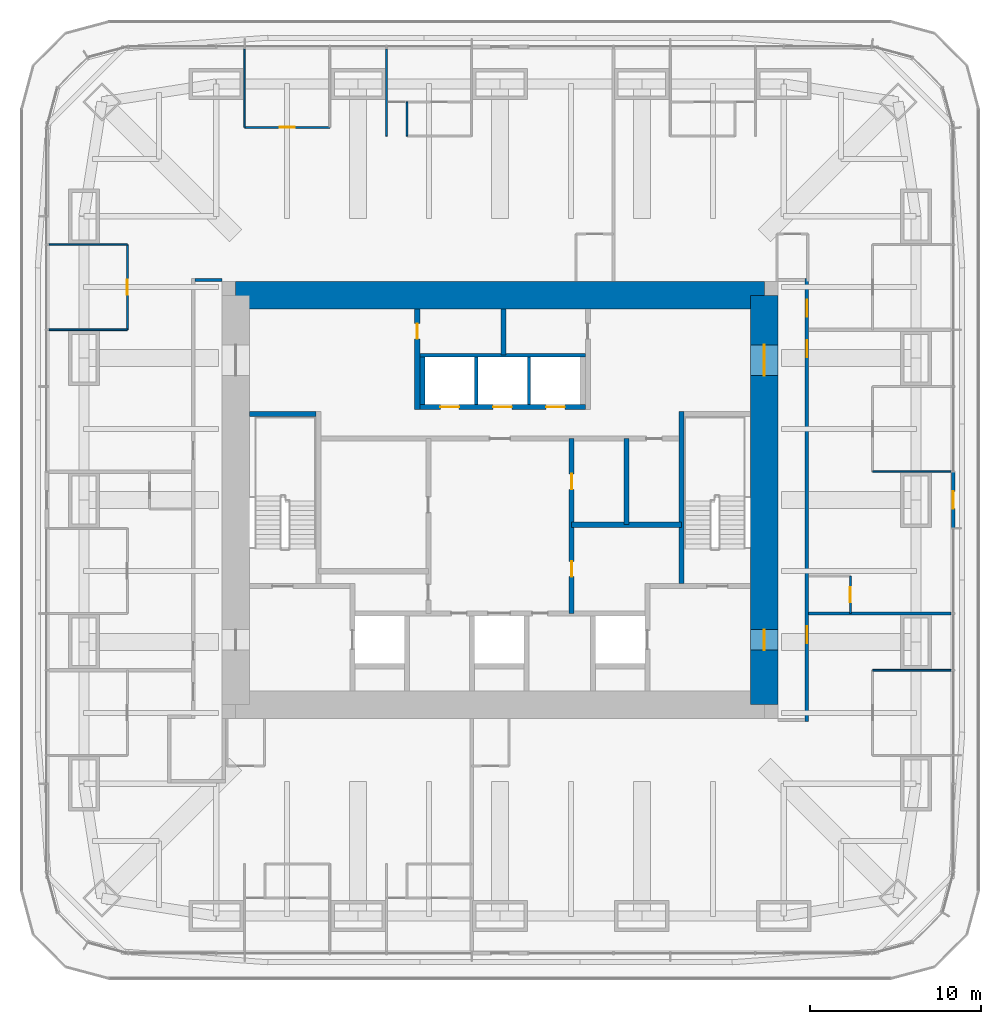
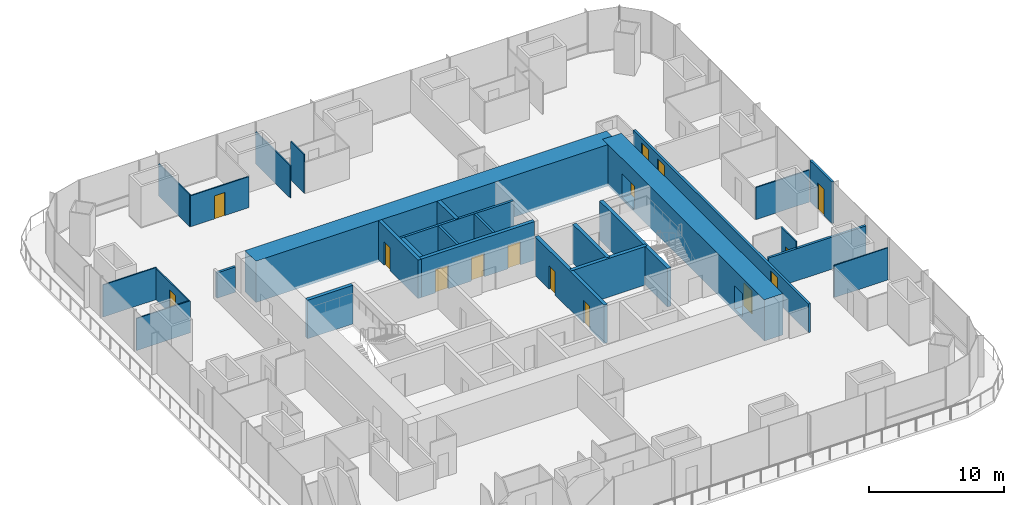
# One storey, part 10 of 15: 28 walls, 15 doors, 15 openings.
"""IFC4 building model written with IfcOpenShell, lengths in metres."""

import ifcopenshell
import ifcopenshell.guid

model = None  # the IFC model being written
_history = None  # IfcOwnerHistory: only IFC2X3 demands one
_inside = {}  # id of a spatial element -> (the spatial element, [elements in it])
_under = {}  # id of a project, library or spatial element -> (it, [spatial elements below it])
_declared = {}  # id of a project -> (the project, [libraries it declares])
_typed = {}  # id of a type object -> (the type object, [elements of that type])
_made_of = {}  # id of a material, layer set ... -> (it, [elements and type objects made of it])


def new_model(schema):
    """Start an empty IFC model of exactly this schema.

    Asked for "IFC4X3", IfcOpenShell would pick the latest addendum, in which some entities
    have other attributes; the version numbers below select the first issue.
    IFC2X3 requires an IfcOwnerHistory on every rooted entity: one is made here for all.
    """
    global model, _history
    if schema == "IFC4X3":
        model = ifcopenshell.file(schema_version=(4, 3, 0, 0))
    else:
        model = ifcopenshell.file(schema=schema)
    _inside.clear()
    _under.clear()
    _declared.clear()
    _typed.clear()
    _made_of.clear()
    _history = None
    if model.schema == "IFC2X3":
        org = make("IfcOrganization", Name="unknown")
        user = make(
            "IfcPersonAndOrganization",
            ThePerson=make("IfcPerson", FamilyName="unknown"),
            TheOrganization=org,
        )
        app = make(
            "IfcApplication",
            ApplicationDeveloper=org,
            Version="unknown",
            ApplicationFullName="unknown",
            ApplicationIdentifier="unknown",
        )
        _history = make(
            "IfcOwnerHistory",
            OwningUser=user,
            OwningApplication=app,
            ChangeAction="ADDED",
            CreationDate=0,
        )
    return model


def make(cls, **values):
    """One entity of the class cls with the attributes given. An attribute that is None is left unset."""
    return model.create_entity(
        cls, **{name: value for name, value in values.items() if value is not None}
    )


def rooted(cls, **values):
    """An entity with a GlobalId (a new one), such as an element, a storey or a relation."""
    return make(cls, GlobalId=ifcopenshell.guid.new(), OwnerHistory=_history, **values)


def si_unit(unit_type, name, prefix=None):
    """IfcSIUnit, for example si_unit("LENGTHUNIT", "METRE", prefix="MILLI")."""
    return make("IfcSIUnit", UnitType=unit_type, Prefix=prefix, Name=name)


def assignment(units):
    """IfcUnitAssignment: the units of a project."""
    return None if units is None else make("IfcUnitAssignment", Units=units)


def point(xyz):
    """IfcCartesianPoint."""
    return None if xyz is None else make("IfcCartesianPoint", Coordinates=xyz)


def direction(xyz):
    """IfcDirection."""
    return None if xyz is None else make("IfcDirection", DirectionRatios=xyz)


def frame(location, z_axis=None, x_axis=None):
    """IfcAxis2Placement3D, a coordinate frame: its origin and axes. An axis left out is left unset."""
    return make(
        "IfcAxis2Placement3D",
        Location=point(location),
        Axis=direction(z_axis),
        RefDirection=direction(x_axis),
    )


def frame_2d(location, x_axis=None):
    """IfcAxis2Placement2D, a coordinate frame in the plane: its origin and x axis."""
    return make(
        "IfcAxis2Placement2D", Location=point(location), RefDirection=direction(x_axis)
    )


def origin():
    """The frame at (0, 0, 0) with its axes left unset."""
    return frame((0.0, 0.0, 0.0))


def place(relative_to, where):
    """IfcLocalPlacement: puts the frame where relative to a parent placement (None: the world)."""
    return make(
        "IfcLocalPlacement", PlacementRelTo=relative_to, RelativePlacement=where
    )


def context(
    kind, dimensions, precision=None, world=None, true_north=None, identifier=None
):
    """IfcGeometricRepresentationContext, for example the 3D "Model" context."""
    return make(
        "IfcGeometricRepresentationContext",
        ContextIdentifier=identifier,
        ContextType=kind,
        CoordinateSpaceDimension=dimensions,
        Precision=precision,
        WorldCoordinateSystem=world,
        TrueNorth=true_north,
    )


def subcontext(parent, identifier, kind, view, scale=None):
    """IfcGeometricRepresentationSubContext, for example "Body" below "Model"."""
    return make(
        "IfcGeometricRepresentationSubContext",
        ContextIdentifier=identifier,
        ContextType=kind,
        ParentContext=parent,
        TargetScale=scale,
        TargetView=view,
    )


def project(units=None, contexts=None):
    """IfcProject with its units and contexts."""
    return rooted(
        "IfcProject",
        Name="project",
        RepresentationContexts=contexts,
        UnitsInContext=assignment(units),
    )


def spatial(cls, under=None, at=None, **own):
    """A site, building, storey or space (cls), placed at a placement, below another one or the project."""
    s = rooted(cls, ObjectPlacement=at, **own)
    if under is not None:
        _under.setdefault(under.id(), (under, []))[1].append(s)
    return s


def profile(cls, at=None, kind="AREA", **sizes):
    """A parametric profile (cls). Its sizes go by their IFC names, for example OverallWidth=200.0."""
    return make(cls, ProfileType=kind, Position=at, **sizes)


def rectangle(**sizes):
    """IfcRectangleProfileDef."""
    return profile("IfcRectangleProfileDef", **sizes)


def extrude(swept, where, along, depth):
    """IfcExtrudedAreaSolid: the profile swept, set in the frame where, extruded along a direction by depth."""
    return make(
        "IfcExtrudedAreaSolid",
        SweptArea=swept,
        Position=where,
        ExtrudedDirection=direction(along),
        Depth=depth,
    )


def shape(context_of_items, identifier, shape_type, items):
    """IfcShapeRepresentation: the items that make up one representation, for example the "Body"."""
    return make(
        "IfcShapeRepresentation",
        ContextOfItems=context_of_items,
        RepresentationIdentifier=identifier,
        RepresentationType=shape_type,
        Items=items,
    )


def material(Name=None, Category=None):
    """IfcMaterial."""
    return make("IfcMaterial", Name=Name, Category=Category)


def layer(
    of_material, thickness, ventilated=None, Name=None, Category=None, Priority=None
):
    """IfcMaterialLayer: one layer of a wall or slab, of a material (None: an air gap)."""
    return make(
        "IfcMaterialLayer",
        Material=of_material,
        LayerThickness=thickness,
        IsVentilated=ventilated,
        Name=Name,
        Category=Category,
        Priority=Priority,
    )


def layer_set(layers, Name=None):
    """IfcMaterialLayerSet."""
    return make("IfcMaterialLayerSet", MaterialLayers=layers, LayerSetName=Name)


def made_of(thing, what):
    """Note that an element or type object is made of a material, layer set ...; save() writes the relation."""
    if what is not None:
        _made_of.setdefault(what.id(), (what, []))[1].append(thing)
    return thing


def type_object(cls, material=None, **own):
    """A type object (cls), such as IfcWallType, which elements share."""
    return made_of(rooted(cls, **own), material)


def element(
    cls,
    number,
    at=None,
    inside=None,
    cuts=None,
    type_object=None,
    material=None,
    context=None,
    identifier="Body",
    shape_type=None,
    held_by="IfcProductDefinitionShape",
    body=None,
    shapes=None,
    **own,
):
    """One element of the class cls, such as IfcWall. Its Tag is "e" and its number.

    at: its placement. inside: the storey or other place that contains it. cuts: it is an
    opening in that element (IfcRelVoidsElement). A single representation is given by context,
    identifier, shape_type and body (its items); several are given by shapes. held_by: the class
    of the entity that holds the representations. save() writes the other relations.
    """
    e = rooted(cls, Tag="e%d" % number, ObjectPlacement=at, **own)
    if body is not None:
        shapes = [shape(context, identifier, shape_type, body)]
    if shapes is not None:
        e.Representation = make(held_by, Representations=shapes)
    if inside is not None:
        _inside.setdefault(inside.id(), (inside, []))[1].append(e)
    if cuts is not None:
        rooted(
            "IfcRelVoidsElement", RelatingBuildingElement=cuts, RelatedOpeningElement=e
        )
    if type_object is not None:
        _typed.setdefault(type_object.id(), (type_object, []))[1].append(e)
    return made_of(e, material)


def fill(opening, filler):
    """IfcRelFillsElement: the door or window that sits in an opening."""
    return rooted(
        "IfcRelFillsElement",
        RelatingOpeningElement=opening,
        RelatedBuildingElement=filler,
    )


def aggregate(whole, parts):
    """IfcRelAggregates: a whole, such as a stair, and the parts it consists of."""
    return rooted("IfcRelAggregates", RelatingObject=whole, RelatedObjects=parts)


def save(model, path):
    """Write the relations noted so far, then the file.

    IfcRelAggregates (storeys below a building ...), IfcRelContainedInSpatialStructure (elements
    in a storey), IfcRelDefinesByType, IfcRelAssociatesMaterial and IfcRelDeclares: one each for
    every whole, place, type object, material and project.
    """
    for whole, parts in _under.values():
        aggregate(whole, parts)
    for where, things in _inside.values():
        rooted(
            "IfcRelContainedInSpatialStructure",
            RelatedElements=things,
            RelatingStructure=where,
        )
    for kind, things in _typed.values():
        rooted("IfcRelDefinesByType", RelatedObjects=things, RelatingType=kind)
    for what, things in _made_of.values():
        rooted("IfcRelAssociatesMaterial", RelatedObjects=things, RelatingMaterial=what)
    for by, libraries in _declared.values():
        rooted("IfcRelDeclares", RelatingContext=by, RelatedDefinitions=libraries)
    model.write(path)


model = new_model("IFC4")

# Units and contexts
model_context = context("Model", 3, precision=1e-05, world=origin(), true_north=direction((0.0, 1.0)))
body_context = subcontext(model_context, "Body", "Model", "MODEL_VIEW")
ifc_project = project(units=[si_unit("LENGTHUNIT", "METRE"), si_unit("AREAUNIT", "SQUARE_METRE"), si_unit("VOLUMEUNIT", "CUBIC_METRE"), si_unit("PLANEANGLEUNIT", "RADIAN"), si_unit("MASSUNIT", "GRAM", prefix="KILO")], contexts=[model_context])

# Site, building, storey
site_placement = place(None, origin())
site = spatial("IfcSite", under=ifc_project, at=site_placement, CompositionType="ELEMENT")
building_placement = place(site_placement, origin())
building = spatial("IfcBuilding", under=site, at=building_placement, Name="Khuree Lantern Residences", CompositionType="ELEMENT")
storey_placement = place(building_placement, frame((0.0, 0.0, 199.5)))
storey = spatial("IfcBuildingStorey", under=building, at=storey_placement, Name="L49", CompositionType="ELEMENT", Elevation=199.5)

# Wall, opening, door
ifc_material_1 = material(Name="Moisture-resistant gypsum board on steel studs", Category="steel")
ifc_layer_1 = layer(ifc_material_1, 0.125)
ifc_layer_set_1 = layer_set([ifc_layer_1], Name="BATHROOM WALL BTW125")
wall_type_1 = type_object("IfcWallType", Name="BATHROOM WALL BTW125", PredefinedType="PARTITIONING", material=ifc_layer_set_1)
wall_1_placement = place(storey_placement, frame((20.550048828125, -6.656005859375, 0.0), z_axis=(0.0, 0.0, 1.0), x_axis=(0.0, 1.0, 0.0)))
wall_1 = element("IfcWall", 1, at=wall_1_placement, inside=storey, type_object=wall_type_1, Name="L49 BATHROOM WALL 01", PredefinedType="PARTITIONING", context=body_context, shape_type="SweptSolid", body=[
    extrude(rectangle(XDim=2.199951171875, YDim=0.125, at=frame_2d((1.10009765625, 0.0))), origin(), (0.0, 0.0, 1.0), 3.5),
])
opening_1_placement = place(wall_1_placement, frame((0.64990234375, 0.0, 0.0)))
opening_1 = element("IfcOpeningElement", 2, at=opening_1_placement, cuts=wall_1, Name="Opening 49-024", PredefinedType="OPENING", context=body_context, shape_type="SweptSolid", body=[
    extrude(rectangle(XDim=0.89990234375, YDim=2.10009765625, at=frame_2d((0.449951171875, 1.050048828125))), frame((0.0, 0.072509765625, 0.0), z_axis=(0.0, -1.0, 0.0), x_axis=(1.0, 0.0, 0.0)), (0.0, 0.0, 1.0), 0.14501953125),
])
ifc_material_2 = material(Name="Timber door leaf in hardwood frame", Category="wood")
door_type_1 = type_object("IfcDoorType", Name="BATHROOM DOOR 900X2100", OperationType="SINGLE_SWING_LEFT", PredefinedType="DOOR", material=ifc_material_2)
door_1_placement = place(opening_1_placement, origin())
door_1 = element("IfcDoor", 3, at=door_1_placement, inside=storey, type_object=door_type_1, Name="Bathroom door 49-024", OperationType="SINGLE_SWING_LEFT", OverallHeight=2.10009765625, OverallWidth=0.89990234375, PredefinedType="DOOR", context=body_context, shape_type="SweptSolid", body=[
    extrude(rectangle(XDim=0.89990234375, YDim=2.10009765625, at=frame_2d((0.449951171875, 1.050048828125))), frame((0.0, 0.02490234375, 0.0), z_axis=(0.0, -1.0, 0.0), x_axis=(1.0, 0.0, 0.0)), (0.0, 0.0, 1.0), 0.050048828125),
])
fill(opening_1, door_1)

# Wall, openings, doors
ifc_material_3 = material(Name="Dense concrete blockwork", Category="masonry")
ifc_layer_2 = layer(ifc_material_3, 0.300048828125)
ifc_layer_set_2 = layer_set([ifc_layer_2], Name="CORE PARTITION WALL CPW300 EI 120")
wall_type_2 = type_object("IfcWallType", Name="CORE PARTITION WALL CPW300 EI 120", PredefinedType="PARTITIONING", material=ifc_layer_set_2)
wall_2_placement = place(storey_placement, frame((-4.699951171875, 5.449951171875, 0.0), z_axis=(0.0, 0.0, 1.0), x_axis=(1.0, 0.0, 0.0)))
wall_2 = element("IfcWall", 4, at=wall_2_placement, inside=storey, type_object=wall_type_2, Name="L49 CORE WALL PHS", PredefinedType="PARTITIONING", context=body_context, shape_type="SweptSolid", body=[
    extrude(rectangle(XDim=9.699951171875, YDim=0.300048828125, at=frame_2d((4.85009765625, 0.0))), origin(), (0.0, 0.0, 1.0), 3.5),
])
opening_2_placement = place(wall_2_placement, frame((1.199951171875, 0.0, 0.0)))
opening_2 = element("IfcOpeningElement", 5, at=opening_2_placement, cuts=wall_2, Name="Opening 49-009", PredefinedType="OPENING", context=body_context, shape_type="SweptSolid", body=[
    extrude(rectangle(XDim=1.10009765625, YDim=2.10009765625, at=frame_2d((0.550048828125, 1.050048828125))), frame((0.0, 0.16015625, 0.0), z_axis=(0.0, -1.0, 0.0), x_axis=(1.0, 0.0, 0.0)), (0.0, 0.0, 1.0), 0.320068359375),
])
opening_3_placement = place(wall_2_placement, frame((4.300048828125, 0.0, 0.0)))
opening_3 = element("IfcOpeningElement", 6, at=opening_3_placement, cuts=wall_2, Name="Opening 49-010", PredefinedType="OPENING", context=body_context, shape_type="SweptSolid", body=[
    extrude(rectangle(XDim=1.10009765625, YDim=2.10009765625, at=frame_2d((0.550048828125, 1.050048828125))), frame((0.0, 0.16015625, 0.0), z_axis=(0.0, -1.0, 0.0), x_axis=(1.0, 0.0, 0.0)), (0.0, 0.0, 1.0), 0.320068359375),
])
opening_4_placement = place(wall_2_placement, frame((7.39990234375, 0.0, 0.0)))
opening_4 = element("IfcOpeningElement", 7, at=opening_4_placement, cuts=wall_2, Name="Opening 49-011", PredefinedType="OPENING", context=body_context, shape_type="SweptSolid", body=[
    extrude(rectangle(XDim=1.10009765625, YDim=2.10009765625, at=frame_2d((0.550048828125, 1.050048828125))), frame((0.0, 0.16015625, 0.0), z_axis=(0.0, -1.0, 0.0), x_axis=(1.0, 0.0, 0.0)), (0.0, 0.0, 1.0), 0.320068359375),
])
ifc_material_4 = material(Name="Stainless steel lift landing door", Category="steel")
door_type_2 = type_object("IfcDoorType", Name="LIFT LANDING DOOR 1100X2100 E 60", OperationType="DOUBLE_DOOR_SLIDING", PredefinedType="DOOR", material=ifc_material_4)
door_2_placement = place(opening_2_placement, origin())
door_2 = element("IfcDoor", 8, at=door_2_placement, inside=storey, type_object=door_type_2, Name="Landing door PH1 49-009", OperationType="DOUBLE_DOOR_SLIDING", OverallHeight=2.10009765625, OverallWidth=1.10009765625, PredefinedType="DOOR", context=body_context, shape_type="SweptSolid", body=[
    extrude(rectangle(XDim=1.10009765625, YDim=2.10009765625, at=frame_2d((0.550048828125, 1.050048828125))), frame((0.0, 0.02490234375, 0.0), z_axis=(0.0, -1.0, 0.0), x_axis=(1.0, 0.0, 0.0)), (0.0, 0.0, 1.0), 0.050048828125),
])
fill(opening_2, door_2)
door_3_placement = place(opening_3_placement, origin())
door_3 = element("IfcDoor", 9, at=door_3_placement, inside=storey, type_object=door_type_2, Name="Landing door PH2 49-010", OperationType="DOUBLE_DOOR_SLIDING", OverallHeight=2.10009765625, OverallWidth=1.10009765625, PredefinedType="DOOR", context=body_context, shape_type="SweptSolid", body=[
    extrude(rectangle(XDim=1.10009765625, YDim=2.10009765625, at=frame_2d((0.550048828125, 1.050048828125))), frame((0.0, 0.02490234375, 0.0), z_axis=(0.0, -1.0, 0.0), x_axis=(1.0, 0.0, 0.0)), (0.0, 0.0, 1.0), 0.050048828125),
])
fill(opening_3, door_3)
door_4_placement = place(opening_4_placement, origin())
door_4 = element("IfcDoor", 10, at=door_4_placement, inside=storey, type_object=door_type_2, Name="Landing door PH3 49-011", OperationType="DOUBLE_DOOR_SLIDING", OverallHeight=2.10009765625, OverallWidth=1.10009765625, PredefinedType="DOOR", context=body_context, shape_type="SweptSolid", body=[
    extrude(rectangle(XDim=1.10009765625, YDim=2.10009765625, at=frame_2d((0.550048828125, 1.050048828125))), frame((0.0, 0.02490234375, 0.0), z_axis=(0.0, -1.0, 0.0), x_axis=(1.0, 0.0, 0.0)), (0.0, 0.0, 1.0), 0.050048828125),
])
fill(opening_4, door_4)

# Wall
wall_3_placement = place(storey_placement, frame((-4.550048828125, 5.60009765625, 0.0), z_axis=(0.0, 0.0, 1.0), x_axis=(0.0, 1.0, 0.0)))
element("IfcWall", 11, at=wall_3_placement, inside=storey, type_object=wall_type_2, Name="L49 CORE WALL PHW", PredefinedType="PARTITIONING", context=body_context, shape_type="SweptSolid", body=[
    extrude(rectangle(XDim=2.7998046875, YDim=0.300048828125, at=frame_2d((1.39990234375, 0.0))), origin(), (0.0, 0.0, 1.0), 3.5),
])

# Wall, openings, doors
wall_4_placement = place(storey_placement, frame((4.199951171875, -6.64990234375, 0.0), z_axis=(0.0, 0.0, 1.0), x_axis=(0.0, 1.0, 0.0)))
wall_4 = element("IfcWall", 12, at=wall_4_placement, inside=storey, type_object=wall_type_2, Name="L49 CORE WALL SVE", PredefinedType="PARTITIONING", context=body_context, shape_type="SweptSolid", body=[
    extrude(rectangle(XDim=10.25, YDim=0.300048828125, at=frame_2d((5.125, 0.0))), origin(), (0.0, 0.0, 1.0), 3.5),
])
opening_5_placement = place(wall_4_placement, frame((2.14990234375, 0.0, 0.0)))
opening_5 = element("IfcOpeningElement", 13, at=opening_5_placement, cuts=wall_4, Name="Opening 49-018", PredefinedType="OPENING", context=body_context, shape_type="SweptSolid", body=[
    extrude(rectangle(XDim=0.89990234375, YDim=2.10009765625, at=frame_2d((0.449951171875, 1.050048828125))), frame((0.0, 0.16015625, 0.0), z_axis=(0.0, -1.0, 0.0), x_axis=(1.0, 0.0, 0.0)), (0.0, 0.0, 1.0), 0.320068359375),
])
opening_6_placement = place(wall_4_placement, frame((7.27490234375, 0.0, 0.0)))
opening_6 = element("IfcOpeningElement", 14, at=opening_6_placement, cuts=wall_4, Name="Opening 49-019", PredefinedType="OPENING", context=body_context, shape_type="SweptSolid", body=[
    extrude(rectangle(XDim=0.89990234375, YDim=2.10009765625, at=frame_2d((0.449951171875, 1.050048828125))), frame((0.0, 0.16015625, 0.0), z_axis=(0.0, -1.0, 0.0), x_axis=(1.0, 0.0, 0.0)), (0.0, 0.0, 1.0), 0.320068359375),
])
door_type_3 = type_object("IfcDoorType", Name="DOOR 900X2100", OperationType="SINGLE_SWING_LEFT", PredefinedType="DOOR", material=ifc_material_2)
door_5_placement = place(opening_5_placement, origin())
door_5 = element("IfcDoor", 15, at=door_5_placement, inside=storey, type_object=door_type_3, Name="Residents' store door 49-018", OperationType="SINGLE_SWING_LEFT", OverallHeight=2.10009765625, OverallWidth=0.89990234375, PredefinedType="DOOR", context=body_context, shape_type="SweptSolid", body=[
    extrude(rectangle(XDim=0.89990234375, YDim=2.10009765625, at=frame_2d((0.449951171875, 1.050048828125))), frame((0.0, 0.02490234375, 0.0), z_axis=(0.0, -1.0, 0.0), x_axis=(1.0, 0.0, 0.0)), (0.0, 0.0, 1.0), 0.050048828125),
])
fill(opening_5, door_5)
door_type_4 = type_object("IfcDoorType", Name="DOOR 900X2100 RIGHT HAND", OperationType="SINGLE_SWING_RIGHT", PredefinedType="DOOR", material=ifc_material_2)
door_6_placement = place(opening_6_placement, origin())
door_6 = element("IfcDoor", 16, at=door_6_placement, inside=storey, type_object=door_type_4, Name="Building management room door 49-019", OperationType="SINGLE_SWING_RIGHT", OverallHeight=2.10009765625, OverallWidth=0.89990234375, PredefinedType="DOOR", context=body_context, shape_type="SweptSolid", body=[
    extrude(rectangle(XDim=0.89990234375, YDim=2.10009765625, at=frame_2d((0.449951171875, 1.050048828125))), frame((0.0, 0.02490234375, 0.0), z_axis=(0.0, -1.0, 0.0), x_axis=(1.0, 0.0, 0.0)), (0.0, 0.0, 1.0), 0.050048828125),
])
fill(opening_6, door_6)

# Walls
wall_5_placement = place(storey_placement, frame((10.64990234375, -1.449951171875, 0.0), z_axis=(0.0, 0.0, 1.0), x_axis=(-1.0, 0.0, 0.0)))
element("IfcWall", 17, at=wall_5_placement, inside=storey, type_object=wall_type_2, Name="L49 CORE WALL EX", PredefinedType="PARTITIONING", context=body_context, shape_type="SweptSolid", body=[
    extrude(rectangle(XDim=6.449951171875, YDim=0.300048828125, at=frame_2d((3.22509765625, 0.0))), origin(), (0.0, 0.0, 1.0), 3.5),
])
wall_6_placement = place(storey_placement, frame((7.425048828125, -1.449951171875, 0.0), z_axis=(0.0, 0.0, 1.0), x_axis=(0.0, 1.0, 0.0)))
element("IfcWall", 18, at=wall_6_placement, inside=storey, type_object=wall_type_2, Name="L49 CORE WALL EV", PredefinedType="PARTITIONING", context=body_context, shape_type="SweptSolid", body=[
    extrude(rectangle(XDim=5.050048828125, YDim=0.300048828125, at=frame_2d((2.52490234375, 0.0))), origin(), (0.0, 0.0, 1.0), 3.5),
])

# Wall, opening, door
wall_7_placement = place(storey_placement, frame((-4.85009765625, 5.300048828125, 0.0), z_axis=(0.0, 0.0, 1.0), x_axis=(0.0, 1.0, 0.0)))
wall_7 = element("IfcWall", 19, at=wall_7_placement, inside=storey, type_object=wall_type_2, Name="L49 CORE WALL NW", PredefinedType="PARTITIONING", context=body_context, shape_type="SweptSolid", body=[
    extrude(rectangle(XDim=5.89990234375, YDim=0.300048828125, at=frame_2d((2.949951171875, 0.0))), origin(), (0.0, 0.0, 1.0), 3.5),
])
opening_7_placement = place(wall_7_placement, frame((4.14990234375, 0.0, 0.0)))
opening_7 = element("IfcOpeningElement", 20, at=opening_7_placement, cuts=wall_7, Name="Opening 49-021", PredefinedType="OPENING", context=body_context, shape_type="SweptSolid", body=[
    extrude(rectangle(XDim=0.89990234375, YDim=2.10009765625, at=frame_2d((0.449951171875, 1.050048828125))), frame((0.0, 0.16015625, 0.0), z_axis=(0.0, -1.0, 0.0), x_axis=(1.0, 0.0, 0.0)), (0.0, 0.0, 1.0), 0.320068359375),
])
door_7_placement = place(opening_7_placement, origin())
door_7 = element("IfcDoor", 21, at=door_7_placement, inside=storey, type_object=door_type_4, Name="Housekeeping store door 49-021", OperationType="SINGLE_SWING_RIGHT", OverallHeight=2.10009765625, OverallWidth=0.89990234375, PredefinedType="DOOR", context=body_context, shape_type="SweptSolid", body=[
    extrude(rectangle(XDim=0.89990234375, YDim=2.10009765625, at=frame_2d((0.449951171875, 1.050048828125))), frame((0.0, 0.02490234375, 0.0), z_axis=(0.0, -1.0, 0.0), x_axis=(1.0, 0.0, 0.0)), (0.0, 0.0, 1.0), 0.050048828125),
])
fill(opening_7, door_7)

# Walls
wall_8_placement = place(storey_placement, frame((0.199951171875, 8.5, 0.0), z_axis=(0.0, 0.0, 1.0), x_axis=(0.0, 1.0, 0.0)))
element("IfcWall", 22, at=wall_8_placement, inside=storey, type_object=wall_type_2, Name="L49 CORE WALL NX", PredefinedType="PARTITIONING", context=body_context, shape_type="SweptSolid", body=[
    extrude(rectangle(XDim=2.699951171875, YDim=0.300048828125, at=frame_2d((1.35009765625, 0.0))), origin(), (0.0, 0.0, 1.0), 3.5),
])
ifc_material_5 = material(Name="Gypsum board on steel studs", Category="steel")
ifc_layer_3 = layer(ifc_material_5, 0.199951171875)
ifc_layer_set_3 = layer_set([ifc_layer_3], Name="CORRIDOR WALL CRW200 EI 60")
wall_type_3 = type_object("IfcWallType", Name="CORRIDOR WALL CRW200 EI 60", PredefinedType="PARTITIONING", material=ifc_layer_set_3)
wall_9_placement = place(storey_placement, frame((-16.300048828125, 12.89990234375, 0.0), z_axis=(0.0, 0.0, 1.0), x_axis=(-1.0, 0.0, 0.0)))
element("IfcWall", 23, at=wall_9_placement, inside=storey, type_object=wall_type_3, Name="L49 WEST CORRIDOR NORTH END WALL", PredefinedType="PARTITIONING", context=body_context, shape_type="SweptSolid", body=[
    extrude(rectangle(XDim=1.599853515625, YDim=0.199951171875, at=frame_2d((0.7998046875, 0.0))), origin(), (0.0, 0.0, 1.0), 2.300048828125),
])

# Wall, openings, doors
wall_10_placement = place(storey_placement, frame((18.0, -13.0, 0.0), z_axis=(0.0, 0.0, 1.0), x_axis=(0.0, 1.0, 0.0)))
wall_10 = element("IfcWall", 24, at=wall_10_placement, inside=storey, type_object=wall_type_3, Name="L49 CORRIDOR WALL EAST 1", PredefinedType="PARTITIONING", context=body_context, shape_type="SweptSolid", body=[
    extrude(rectangle(XDim=26.0, YDim=0.199951171875, at=frame_2d((13.0, 0.0))), origin(), (0.0, 0.0, 1.0), 2.60009765625),
])
opening_8_placement = place(wall_10_placement, frame((21.364013671875, 0.0, 0.0)))
opening_8 = element("IfcOpeningElement", 25, at=opening_8_placement, cuts=wall_10, Name="Opening 49-025", PredefinedType="OPENING", context=body_context, shape_type="SweptSolid", body=[
    extrude(rectangle(XDim=1.0, YDim=2.199951171875, at=frame_2d((0.5, 1.10009765625))), frame((0.0, 0.10986328125, 0.0), z_axis=(0.0, -1.0, 0.0), x_axis=(1.0, 0.0, 0.0)), (0.0, 0.0, 1.0), 0.219970703125),
])
opening_9_placement = place(wall_10_placement, frame((23.75390625, 0.0, 0.0)))
opening_9 = element("IfcOpeningElement", 26, at=opening_9_placement, cuts=wall_10, Name="Opening 49-030", PredefinedType="OPENING", context=body_context, shape_type="SweptSolid", body=[
    extrude(rectangle(XDim=1.0, YDim=2.199951171875, at=frame_2d((0.5, 1.10009765625))), frame((0.0, 0.10986328125, 0.0), z_axis=(0.0, -1.0, 0.0), x_axis=(1.0, 0.0, 0.0)), (0.0, 0.0, 1.0), 0.219970703125),
])
opening_10_placement = place(wall_10_placement, frame((4.60009765625, 0.0, 0.0)))
opening_10 = element("IfcOpeningElement", 27, at=opening_10_placement, cuts=wall_10, Name="Opening 49-049", PredefinedType="OPENING", context=body_context, shape_type="SweptSolid", body=[
    extrude(rectangle(XDim=1.0, YDim=2.199951171875, at=frame_2d((0.5, 1.10009765625))), frame((0.0, 0.10986328125, 0.0), z_axis=(0.0, -1.0, 0.0), x_axis=(1.0, 0.0, 0.0)), (0.0, 0.0, 1.0), 0.219970703125),
])
door_type_5 = type_object("IfcDoorType", Name="APARTMENT ENTRANCE DOOR 1000X2200 EI 30S", OperationType="SINGLE_SWING_LEFT", PredefinedType="DOOR", material=ifc_material_2)
door_8_placement = place(opening_10_placement, origin())
door_8 = element("IfcDoor", 28, at=door_8_placement, inside=storey, type_object=door_type_5, Name="Apartment 06 entrance door 49-049", OperationType="SINGLE_SWING_LEFT", OverallHeight=2.199951171875, OverallWidth=1.0, PredefinedType="DOOR", context=body_context, shape_type="SweptSolid", body=[
    extrude(rectangle(XDim=1.0, YDim=2.199951171875, at=frame_2d((0.5, 1.10009765625))), frame((0.0, 0.02490234375, 0.0), z_axis=(0.0, -1.0, 0.0), x_axis=(1.0, 0.0, 0.0)), (0.0, 0.0, 1.0), 0.050048828125),
])
fill(opening_10, door_8)
door_type_6 = type_object("IfcDoorType", Name="APARTMENT ENTRANCE DOOR 1000X2200 EI 30S RIGHT HAND", OperationType="SINGLE_SWING_RIGHT", PredefinedType="DOOR", material=ifc_material_2)
door_9_placement = place(opening_8_placement, origin())
door_9 = element("IfcDoor", 29, at=door_9_placement, inside=storey, type_object=door_type_6, Name="Apartment 01 entrance door 49-025", OperationType="SINGLE_SWING_RIGHT", OverallHeight=2.199951171875, OverallWidth=1.0, PredefinedType="DOOR", context=body_context, shape_type="SweptSolid", body=[
    extrude(rectangle(XDim=1.0, YDim=2.199951171875, at=frame_2d((0.5, 1.10009765625))), frame((0.0, 0.02490234375, 0.0), z_axis=(0.0, -1.0, 0.0), x_axis=(1.0, 0.0, 0.0)), (0.0, 0.0, 1.0), 0.050048828125),
])
fill(opening_8, door_9)
door_10_placement = place(opening_9_placement, origin())
door_10 = element("IfcDoor", 30, at=door_10_placement, inside=storey, type_object=door_type_6, Name="Apartment 02 entrance door 49-030", OperationType="SINGLE_SWING_RIGHT", OverallHeight=2.199951171875, OverallWidth=1.0, PredefinedType="DOOR", context=body_context, shape_type="SweptSolid", body=[
    extrude(rectangle(XDim=1.0, YDim=2.199951171875, at=frame_2d((0.5, 1.10009765625))), frame((0.0, 0.02490234375, 0.0), z_axis=(0.0, -1.0, 0.0), x_axis=(1.0, 0.0, 0.0)), (0.0, 0.0, 1.0), 0.050048828125),
])
fill(opening_9, door_10)

ifc_material_6 = material(Name="Concrete C50/60", Category="concrete")
ifc_layer_4 = layer(ifc_material_6, 1.60009765625)
ifc_layer_set_4 = layer_set([ifc_layer_4], Name="CW1600-C50 CORE WALL C50 1600")
wall_type_4 = type_object("IfcWallType", Name="CW1600-C50 CORE WALL C50 1600", PredefinedType="SHEAR", material=ifc_layer_set_4)
wall_11_placement = place(storey_placement, frame((15.5, -12.0, -0.25), z_axis=(0.0, 0.0, 1.0), x_axis=(0.0, 1.0, 0.0)))
wall_11 = element("IfcWall", 31, at=wall_11_placement, inside=storey, type_object=wall_type_4, Name="Core wall E", PredefinedType="SHEAR", context=body_context, shape_type="SweptSolid", body=[
    extrude(rectangle(XDim=24.0, YDim=1.60009765625, at=frame_2d((12.0, 0.0))), origin(), (0.0, 0.0, 1.0), 3.75),
])
opening_11_placement = place(wall_11_placement, frame((3.199951171875, 0.0, 0.25)))
opening_11 = element("IfcOpeningElement", 32, at=opening_11_placement, cuts=wall_11, Name="Opening 49-005", PredefinedType="OPENING", context=body_context, shape_type="SweptSolid", body=[
    extrude(rectangle(XDim=1.199951171875, YDim=2.10009765625, at=frame_2d((0.60009765625, 1.050048828125))), frame((0.0, 0.81005859375, 0.0), z_axis=(0.0, -1.0, 0.0), x_axis=(1.0, 0.0, 0.0)), (0.0, 0.0, 1.0), 1.6201171875),
])
opening_12_placement = place(wall_11_placement, frame((19.300048828125, 0.0, 0.25)))
opening_12 = element("IfcOpeningElement", 33, at=opening_12_placement, cuts=wall_11, Name="Opening 49-006", PredefinedType="OPENING", context=body_context, shape_type="SweptSolid", body=[
    extrude(rectangle(XDim=1.800048828125, YDim=2.10009765625, at=frame_2d((0.89990234375, 1.050048828125))), frame((0.0, 0.81005859375, 0.0), z_axis=(0.0, -1.0, 0.0), x_axis=(1.0, 0.0, 0.0)), (0.0, 0.0, 1.0), 1.6201171875),
])
ifc_material_7 = material(Name="Steel door leaf in steel frame", Category="steel")
door_type_7 = type_object("IfcDoorType", Name="LOBBY DOOR 1200X2100 EI 120", OperationType="SINGLE_SWING_LEFT", PredefinedType="DOOR", material=ifc_material_7)
door_11_placement = place(opening_11_placement, origin())
door_11 = element("IfcDoor", 34, at=door_11_placement, inside=storey, type_object=door_type_7, Name="Firefighting lobby door 49-005", OperationType="SINGLE_SWING_LEFT", OverallHeight=2.10009765625, OverallWidth=1.199951171875, PredefinedType="DOOR", context=body_context, shape_type="SweptSolid", body=[
    extrude(rectangle(XDim=1.199951171875, YDim=2.10009765625, at=frame_2d((0.60009765625, 1.050048828125))), frame((0.0, 0.02490234375, 0.0), z_axis=(0.0, -1.0, 0.0), x_axis=(1.0, 0.0, 0.0)), (0.0, 0.0, 1.0), 0.050048828125),
])
fill(opening_11, door_11)
door_type_8 = type_object("IfcDoorType", Name="LOBBY DOUBLE DOOR 1800X2100 EI 60", OperationType="DOUBLE_DOOR_SINGLE_SWING", PredefinedType="DOOR", material=ifc_material_7)
door_12_placement = place(opening_12_placement, origin())
door_12 = element("IfcDoor", 35, at=door_12_placement, inside=storey, type_object=door_type_8, Name="Lift lobby door 49-006", OperationType="DOUBLE_DOOR_SINGLE_SWING", OverallHeight=2.10009765625, OverallWidth=1.800048828125, PredefinedType="DOOR", context=body_context, shape_type="SweptSolid", body=[
    extrude(rectangle(XDim=1.800048828125, YDim=2.10009765625, at=frame_2d((0.89990234375, 1.050048828125))), frame((0.0, 0.02490234375, 0.0), z_axis=(0.0, -1.0, 0.0), x_axis=(1.0, 0.0, 0.0)), (0.0, 0.0, 1.0), 0.050048828125),
])
fill(opening_12, door_12)

# Walls
wall_12_placement = place(storey_placement, frame((-15.5, 12.0, -0.25), z_axis=(0.0, 0.0, 1.0), x_axis=(1.0, 0.0, 0.0)))
element("IfcWall", 36, at=wall_12_placement, inside=storey, type_object=wall_type_4, Name="Core wall N", PredefinedType="SHEAR", context=body_context, shape_type="SweptSolid", body=[
    extrude(rectangle(XDim=31.0, YDim=1.60009765625, at=frame_2d((15.5, 0.0))), origin(), (0.0, 0.0, 1.0), 3.75),
])
ifc_layer_5 = layer(ifc_material_5, 0.199951171875)
ifc_layer_set_5 = layer_set([ifc_layer_5], Name="DEMISING WALL DMW200 EI 90")
wall_type_5 = type_object("IfcWallType", Name="DEMISING WALL DMW200 EI 90", PredefinedType="PARTITIONING", material=ifc_layer_set_5)
wall_13_placement = place(storey_placement, frame((18.10009765625, -6.656005859375, 0.0), z_axis=(0.0, 0.0, 1.0), x_axis=(1.0, 0.0, 0.0)))
element("IfcWall", 37, at=wall_13_placement, inside=storey, type_object=wall_type_5, Name="L49 DEMISING WALL 01", PredefinedType="PARTITIONING", context=body_context, shape_type="SweptSolid", body=[
    extrude(rectangle(XDim=8.349853515625, YDim=0.199951171875, at=frame_2d((4.1748046875, 0.0))), origin(), (0.0, 0.0, 1.0), 2.909912109375),
])
ifc_layer_6 = layer(ifc_material_5, 0.10009765625)
ifc_layer_set_6 = layer_set([ifc_layer_6], Name="PARTITION PT100")
wall_type_6 = type_object("IfcWallType", Name="PARTITION PT100", PredefinedType="PARTITIONING", material=ifc_layer_set_6)
wall_14_placement = place(storey_placement, frame((21.85009765625, 1.6640625, 0.0), z_axis=(0.0, 0.0, 1.0), x_axis=(1.0, 0.0, 0.0)))
element("IfcWall", 38, at=wall_14_placement, inside=storey, type_object=wall_type_6, Name="L49 PARTITION 01", PredefinedType="PARTITIONING", context=body_context, shape_type="SweptSolid", body=[
    extrude(rectangle(XDim=4.599853515625, YDim=0.10009765625, at=frame_2d((2.2998046875, 0.0))), origin(), (0.0, 0.0, 1.0), 2.909912109375),
])
wall_15_placement = place(storey_placement, frame((-6.656005859375, 21.344970703125, 0.0), z_axis=(0.0, 0.0, 1.0), x_axis=(0.0, 1.0, 0.0)))
element("IfcWall", 39, at=wall_15_placement, inside=storey, type_object=wall_type_6, Name="L49 PARTITION 03", PredefinedType="PARTITIONING", context=body_context, shape_type="SweptSolid", body=[
    extrude(rectangle(XDim=5.10498046875, YDim=0.10009765625, at=frame_2d((2.552490234375, 0.0))), origin(), (0.0, 0.0, 1.0), 2.909912109375),
])
for number, where, z_axis, x_axis, name in (
    (40, (-14.97607421875, 21.85009765625, 0.0), (0.0, 0.0, 1.0), (0.0, 1.0, 0.0), "L49 PARTITION 03"),
    (41, (-21.85009765625, 14.97607421875, 0.0), (0.0, 0.0, 1.0), (-1.0, 0.0, 0.0), "L49 PARTITION 03"),
    (42, (-21.85009765625, 9.98388671875, 0.0), (0.0, 0.0, 1.0), (-1.0, 0.0, 0.0), "L49 PARTITION 03"),
    (43, (21.85009765625, -9.98388671875, 0.0), (0.0, 0.0, 1.0), (1.0, 0.0, 0.0), "L49 PARTITION 06"),
):
    element("IfcWall", number, at=place(storey_placement, frame(where, z_axis=z_axis, x_axis=x_axis)), inside=storey, type_object=wall_type_6, Name=name, PredefinedType="PARTITIONING", context=body_context, shape_type="SweptSolid", body=[
        extrude(rectangle(XDim=4.599853515625, YDim=0.10009765625, at=frame_2d((2.2998046875, 0.0))), origin(), (0.0, 0.0, 1.0), 2.909912109375),
    ])
wall_16_placement = place(storey_placement, frame((-5.4560546875, 21.344970703125, 0.0), z_axis=(0.0, 0.0, 1.0), x_axis=(0.0, 1.0, 0.0)))
element("IfcWall", 44, at=wall_16_placement, inside=storey, type_object=wall_type_6, Name="L49 PARTITION 03", PredefinedType="PARTITIONING", context=body_context, shape_type="SweptSolid", body=[
    extrude(rectangle(XDim=2.0, YDim=0.10009765625, at=frame_2d((1.0, 0.0))), origin(), (0.0, 0.0, 1.0), 3.5),
])

# Wall, opening, door
wall_17_placement = place(storey_placement, frame((-9.98388671875, 21.85009765625, 0.0), z_axis=(0.0, 0.0, 1.0), x_axis=(-1.0, 0.0, 0.0)))
wall_17 = element("IfcWall", 45, at=wall_17_placement, inside=storey, type_object=wall_type_6, Name="L49 PARTITION 03", PredefinedType="PARTITIONING", context=body_context, shape_type="SweptSolid", body=[
    extrude(rectangle(XDim=4.9921875, YDim=0.10009765625, at=frame_2d((2.49609375, 0.0))), origin(), (0.0, 0.0, 1.0), 2.81005859375),
])
opening_13_placement = place(wall_17_placement, frame((2.0458984375, 0.0, 0.0)))
opening_13 = element("IfcOpeningElement", 46, at=opening_13_placement, cuts=wall_17, Name="Opening 49-033", PredefinedType="OPENING", context=body_context, shape_type="SweptSolid", body=[
    extrude(rectangle(XDim=0.89990234375, YDim=2.10009765625, at=frame_2d((0.449951171875, 1.050048828125))), frame((0.0, 0.06005859375, 0.0), z_axis=(0.0, -1.0, 0.0), x_axis=(1.0, 0.0, 0.0)), (0.0, 0.0, 1.0), 0.1201171875),
])
door_type_9 = type_object("IfcDoorType", Name="BEDROOM DOOR 900X2100", OperationType="SINGLE_SWING_LEFT", PredefinedType="DOOR", material=ifc_material_2)
door_13_placement = place(opening_13_placement, origin())
door_13 = element("IfcDoor", 47, at=door_13_placement, inside=storey, type_object=door_type_9, Name="Bedroom door 49-033", OperationType="SINGLE_SWING_LEFT", OverallHeight=2.10009765625, OverallWidth=0.89990234375, PredefinedType="DOOR", context=body_context, shape_type="SweptSolid", body=[
    extrude(rectangle(XDim=0.89990234375, YDim=2.10009765625, at=frame_2d((0.449951171875, 1.050048828125))), frame((0.0, 0.02490234375, 0.0), z_axis=(0.0, -1.0, 0.0), x_axis=(1.0, 0.0, 0.0)), (0.0, 0.0, 1.0), 0.050048828125),
])
fill(opening_13, door_13)

wall_18_placement = place(storey_placement, frame((-21.85009765625, 14.97607421875, 0.0), z_axis=(0.0, 0.0, 1.0), x_axis=(0.0, -1.0, 0.0)))
wall_18 = element("IfcWall", 48, at=wall_18_placement, inside=storey, type_object=wall_type_6, Name="L49 PARTITION 03", PredefinedType="PARTITIONING", context=body_context, shape_type="SweptSolid", body=[
    extrude(rectangle(XDim=4.9921875, YDim=0.10009765625, at=frame_2d((2.49609375, 0.0))), origin(), (0.0, 0.0, 1.0), 2.81005859375),
])
opening_14_placement = place(wall_18_placement, frame((2.0458984375, 0.0, 0.0)))
opening_14 = element("IfcOpeningElement", 49, at=opening_14_placement, cuts=wall_18, Name="Opening 49-034", PredefinedType="OPENING", context=body_context, shape_type="SweptSolid", body=[
    extrude(rectangle(XDim=0.89990234375, YDim=2.10009765625, at=frame_2d((0.449951171875, 1.050048828125))), frame((0.0, 0.06005859375, 0.0), z_axis=(0.0, -1.0, 0.0), x_axis=(1.0, 0.0, 0.0)), (0.0, 0.0, 1.0), 0.1201171875),
])
door_14_placement = place(opening_14_placement, origin())
door_14 = element("IfcDoor", 50, at=door_14_placement, inside=storey, type_object=door_type_9, Name="Bedroom door 49-034", OperationType="SINGLE_SWING_LEFT", OverallHeight=2.10009765625, OverallWidth=0.89990234375, PredefinedType="DOOR", context=body_context, shape_type="SweptSolid", body=[
    extrude(rectangle(XDim=0.89990234375, YDim=2.10009765625, at=frame_2d((0.449951171875, 1.050048828125))), frame((0.0, 0.02490234375, 0.0), z_axis=(0.0, -1.0, 0.0), x_axis=(1.0, 0.0, 0.0)), (0.0, 0.0, 1.0), 0.050048828125),
])
fill(opening_14, door_14)

# Walls
ifc_layer_7 = layer(ifc_material_3, 0.199951171875)
ifc_layer_set_7 = layer_set([ifc_layer_7], Name="SHAFT WALL SHW200 EI 120")
wall_type_7 = type_object("IfcWallType", Name="SHAFT WALL SHW200 EI 120", PredefinedType="PARTITIONING", material=ifc_layer_set_7)
wall_19_placement = place(storey_placement, frame((-4.699951171875, 8.5, 0.0), z_axis=(0.0, 0.0, 1.0), x_axis=(1.0, 0.0, 0.0)))
element("IfcWall", 51, at=wall_19_placement, inside=storey, type_object=wall_type_7, Name="L49 CORE WALL PHN", PredefinedType="PARTITIONING", context=body_context, shape_type="SweptSolid", body=[
    extrude(rectangle(XDim=9.699951171875, YDim=0.199951171875, at=frame_2d((4.85009765625, 0.0))), origin(), (0.0, 0.0, 1.0), 3.5),
])
for number, where, z_axis, x_axis, name in (
    (52, (-1.39990234375, 5.60009765625, 0.0), (0.0, 0.0, 1.0), (0.0, 1.0, 0.0), "L49 CORE WALL PHD1"),
    (53, (1.699951171875, 5.60009765625, 0.0), (0.0, 0.0, 1.0), (0.0, 1.0, 0.0), "L49 CORE WALL PHD2"),
):
    element("IfcWall", number, at=place(storey_placement, frame(where, z_axis=z_axis, x_axis=x_axis)), inside=storey, type_object=wall_type_7, Name=name, PredefinedType="PARTITIONING", context=body_context, shape_type="SweptSolid", body=[
        extrude(rectangle(XDim=2.7998046875, YDim=0.199951171875, at=frame_2d((1.39990234375, 0.0))), origin(), (0.0, 0.0, 1.0), 3.5),
    ])
ifc_layer_8 = layer(ifc_material_6, 0.300048828125)
ifc_layer_set_8 = layer_set([ifc_layer_8], Name="STAIR WALL SRW300 C50/60 REI 240")
wall_type_8 = type_object("IfcWallType", Name="STAIR WALL SRW300 C50/60 REI 240", PredefinedType="SOLIDWALL", material=ifc_layer_set_8)
wall_20_placement = place(storey_placement, frame((-14.699951171875, 5.050048828125, 0.0), z_axis=(0.0, 0.0, 1.0), x_axis=(1.0, 0.0, 0.0)))
element("IfcWall", 54, at=wall_20_placement, inside=storey, type_object=wall_type_8, Name="L49 STAIR WALL ST1N", PredefinedType="SOLIDWALL", context=body_context, shape_type="SweptSolid", body=[
    extrude(rectangle(XDim=3.89990234375, YDim=0.300048828125, at=frame_2d((1.949951171875, 0.0))), origin(), (0.0, 0.0, 1.0), 3.5),
])
wall_21_placement = place(storey_placement, frame((10.64990234375, -4.89990234375, 0.0), z_axis=(0.0, 0.0, 1.0), x_axis=(0.0, 1.0, 0.0)))
element("IfcWall", 55, at=wall_21_placement, inside=storey, type_object=wall_type_8, Name="L49 STAIR WALL ST2E", PredefinedType="SOLIDWALL", context=body_context, shape_type="SweptSolid", body=[
    extrude(rectangle(XDim=10.099853515625, YDim=0.300048828125, at=frame_2d((5.0498046875, 0.0))), origin(), (0.0, 0.0, 1.0), 3.5),
])

# Wall, opening, door
ifc_material_8 = material(Name="Bronze anodised aluminium insulated panel", Category="aluminium")
ifc_layer_9 = layer(ifc_material_8, 0.199951171875)
ifc_layer_set_9 = layer_set([ifc_layer_9], Name="TERRACE DOOR SURROUND TS1 200")
wall_type_9 = type_object("IfcWallType", Name="TERRACE DOOR SURROUND TS1 200", PredefinedType="ELEMENTEDWALL", material=ifc_layer_set_9)
wall_22_placement = place(storey_placement, frame((26.580078125, -1.631591796875, 0.0), z_axis=(0.0, 0.0, 1.0), x_axis=(0.0, 1.0, 0.0)))
wall_22 = element("IfcWall", 56, at=wall_22_placement, inside=storey, type_object=wall_type_9, Name="L49 EAST FACE TERRACE DOOR SURROUND 9", PredefinedType="ELEMENTEDWALL", context=body_context, shape_type="SweptSolid", body=[
    extrude(rectangle(XDim=3.26318359375, YDim=0.199951171875, at=frame_2d((1.631591796875, 0.0))), origin(), (0.0, 0.0, 1.0), 3.75),
])
opening_15_placement = place(wall_22_placement, frame((1.131591796875, 0.0, 0.0)))
opening_15 = element("IfcOpeningElement", 57, at=opening_15_placement, cuts=wall_22, Name="Opening 49-T01", PredefinedType="OPENING", context=body_context, shape_type="SweptSolid", body=[
    extrude(rectangle(XDim=1.0, YDim=2.39990234375, at=frame_2d((0.5, 1.199951171875))), frame((0.0, 0.10986328125, 0.0), z_axis=(0.0, -1.0, 0.0), x_axis=(1.0, 0.0, 0.0)), (0.0, 0.0, 1.0), 0.219970703125),
])
ifc_material_9 = material(Name="Bronze anodised aluminium framed triple glazing", Category="aluminium")
door_type_10 = type_object("IfcDoorType", Name="TERRACE DOOR D-T1 1000X2400", OperationType="SINGLE_SWING_RIGHT", PredefinedType="DOOR", material=ifc_material_9)
door_15_placement = place(opening_15_placement, origin())
door_15 = element("IfcDoor", 58, at=door_15_placement, inside=storey, type_object=door_type_10, Name="L49 EAST FACE TERRACE DOOR 49-T01", OperationType="SINGLE_SWING_LEFT", OverallHeight=2.39990234375, OverallWidth=1.0, PredefinedType="DOOR", context=body_context, shape_type="SweptSolid", body=[
    extrude(rectangle(XDim=1.0, YDim=2.39990234375, at=frame_2d((0.5, 1.199951171875))), frame((0.0, 0.02490234375, 0.0), z_axis=(0.0, -1.0, 0.0), x_axis=(1.0, 0.0, 0.0)), (0.0, 0.0, 1.0), 0.050048828125),
])
fill(opening_15, door_15)

save(model, "model.ifc")
